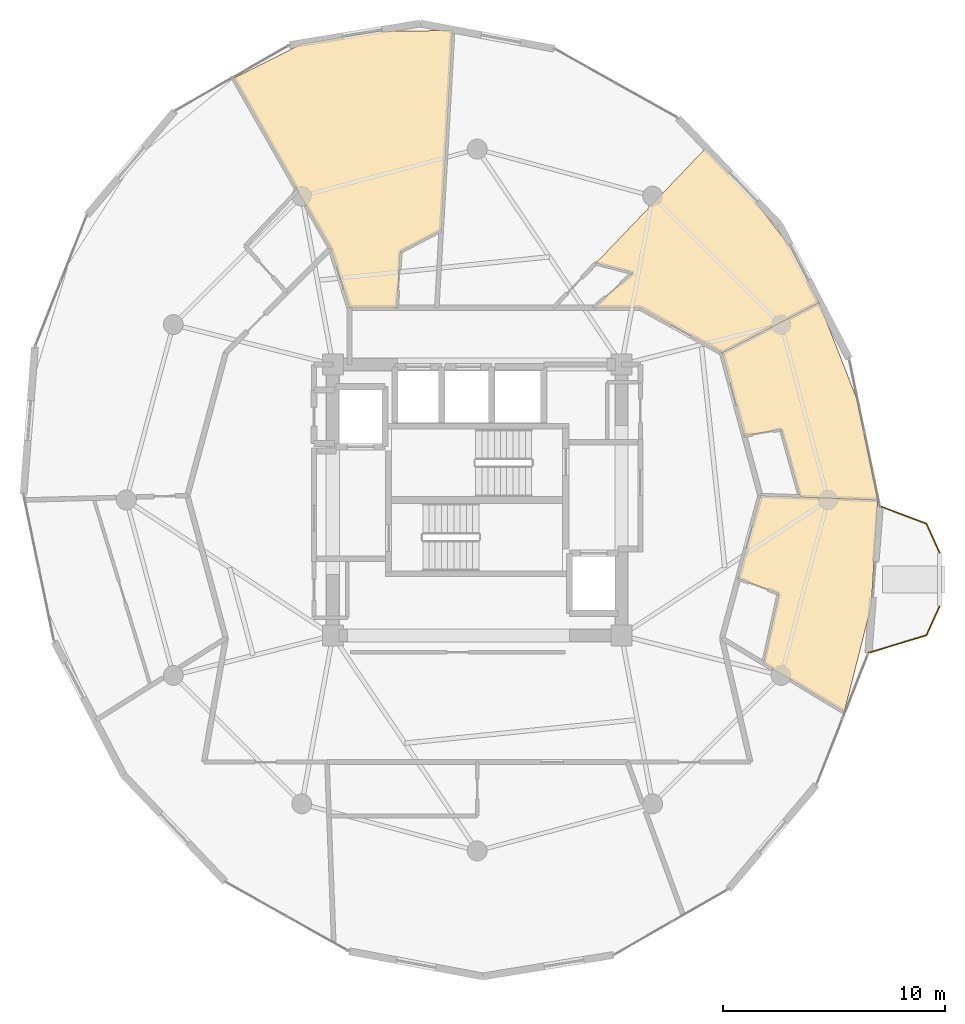
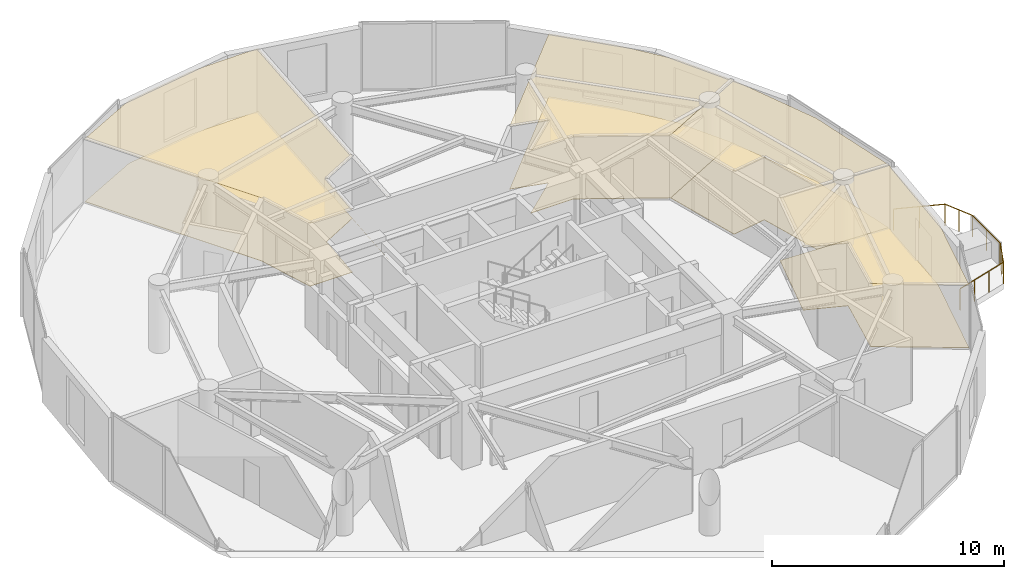
# One storey, part 21 of 21: 8 coverings, 1 railing.
"""IFC4 building model written with IfcOpenShell, lengths in metres."""

import ifcopenshell
import ifcopenshell.guid

model = None  # the IFC model being written
_history = None  # IfcOwnerHistory: only IFC2X3 demands one
_inside = {}  # id of a spatial element -> (the spatial element, [elements in it])
_under = {}  # id of a project, library or spatial element -> (it, [spatial elements below it])
_declared = {}  # id of a project -> (the project, [libraries it declares])
_typed = {}  # id of a type object -> (the type object, [elements of that type])
_made_of = {}  # id of a material, layer set ... -> (it, [elements and type objects made of it])


def new_model(schema):
    """Start an empty IFC model of exactly this schema.

    Asked for "IFC4X3", IfcOpenShell would pick the latest addendum, in which some entities
    have other attributes; the version numbers below select the first issue.
    IFC2X3 requires an IfcOwnerHistory on every rooted entity: one is made here for all.
    """
    global model, _history
    if schema == "IFC4X3":
        model = ifcopenshell.file(schema_version=(4, 3, 0, 0))
    else:
        model = ifcopenshell.file(schema=schema)
    _inside.clear()
    _under.clear()
    _declared.clear()
    _typed.clear()
    _made_of.clear()
    _history = None
    if model.schema == "IFC2X3":
        org = make("IfcOrganization", Name="unknown")
        user = make(
            "IfcPersonAndOrganization",
            ThePerson=make("IfcPerson", FamilyName="unknown"),
            TheOrganization=org,
        )
        app = make(
            "IfcApplication",
            ApplicationDeveloper=org,
            Version="unknown",
            ApplicationFullName="unknown",
            ApplicationIdentifier="unknown",
        )
        _history = make(
            "IfcOwnerHistory",
            OwningUser=user,
            OwningApplication=app,
            ChangeAction="ADDED",
            CreationDate=0,
        )
    return model


def make(cls, **values):
    """One entity of the class cls with the attributes given. An attribute that is None is left unset."""
    return model.create_entity(
        cls, **{name: value for name, value in values.items() if value is not None}
    )


def rooted(cls, **values):
    """An entity with a GlobalId (a new one), such as an element, a storey or a relation."""
    return make(cls, GlobalId=ifcopenshell.guid.new(), OwnerHistory=_history, **values)


def si_unit(unit_type, name, prefix=None):
    """IfcSIUnit, for example si_unit("LENGTHUNIT", "METRE", prefix="MILLI")."""
    return make("IfcSIUnit", UnitType=unit_type, Prefix=prefix, Name=name)


def assignment(units):
    """IfcUnitAssignment: the units of a project."""
    return None if units is None else make("IfcUnitAssignment", Units=units)


def point(xyz):
    """IfcCartesianPoint."""
    return None if xyz is None else make("IfcCartesianPoint", Coordinates=xyz)


def direction(xyz):
    """IfcDirection."""
    return None if xyz is None else make("IfcDirection", DirectionRatios=xyz)


def frame(location, z_axis=None, x_axis=None):
    """IfcAxis2Placement3D, a coordinate frame: its origin and axes. An axis left out is left unset."""
    return make(
        "IfcAxis2Placement3D",
        Location=point(location),
        Axis=direction(z_axis),
        RefDirection=direction(x_axis),
    )


def frame_2d(location, x_axis=None):
    """IfcAxis2Placement2D, a coordinate frame in the plane: its origin and x axis."""
    return make(
        "IfcAxis2Placement2D", Location=point(location), RefDirection=direction(x_axis)
    )


def origin():
    """The frame at (0, 0, 0) with its axes left unset."""
    return frame((0.0, 0.0, 0.0))


def origin_2d():
    """The frame at (0, 0) in the plane with its x axis left unset."""
    return frame_2d((0.0, 0.0))


def place(relative_to, where):
    """IfcLocalPlacement: puts the frame where relative to a parent placement (None: the world)."""
    return make(
        "IfcLocalPlacement", PlacementRelTo=relative_to, RelativePlacement=where
    )


def context(
    kind, dimensions, precision=None, world=None, true_north=None, identifier=None
):
    """IfcGeometricRepresentationContext, for example the 3D "Model" context."""
    return make(
        "IfcGeometricRepresentationContext",
        ContextIdentifier=identifier,
        ContextType=kind,
        CoordinateSpaceDimension=dimensions,
        Precision=precision,
        WorldCoordinateSystem=world,
        TrueNorth=true_north,
    )


def subcontext(parent, identifier, kind, view, scale=None):
    """IfcGeometricRepresentationSubContext, for example "Body" below "Model"."""
    return make(
        "IfcGeometricRepresentationSubContext",
        ContextIdentifier=identifier,
        ContextType=kind,
        ParentContext=parent,
        TargetScale=scale,
        TargetView=view,
    )


def project(units=None, contexts=None):
    """IfcProject with its units and contexts."""
    return rooted(
        "IfcProject",
        Name="project",
        RepresentationContexts=contexts,
        UnitsInContext=assignment(units),
    )


def spatial(cls, under=None, at=None, **own):
    """A site, building, storey or space (cls), placed at a placement, below another one or the project."""
    s = rooted(cls, ObjectPlacement=at, **own)
    if under is not None:
        _under.setdefault(under.id(), (under, []))[1].append(s)
    return s


def polyline(points):
    """IfcPolyline through the points."""
    return make("IfcPolyline", Points=[point(p) for p in points])


def profile(cls, at=None, kind="AREA", **sizes):
    """A parametric profile (cls). Its sizes go by their IFC names, for example OverallWidth=200.0."""
    return make(cls, ProfileType=kind, Position=at, **sizes)


def circle(**sizes):
    """IfcCircleProfileDef."""
    return profile("IfcCircleProfileDef", **sizes)


def outline(outer, holes=None, kind="AREA"):
    """IfcArbitraryClosedProfileDef: a profile drawn as a closed curve; with holes, ...WithVoids."""
    if holes is None:
        return make("IfcArbitraryClosedProfileDef", ProfileType=kind, OuterCurve=outer)
    return make(
        "IfcArbitraryProfileDefWithVoids",
        ProfileType=kind,
        OuterCurve=outer,
        InnerCurves=holes,
    )


def extrude(swept, where, along, depth):
    """IfcExtrudedAreaSolid: the profile swept, set in the frame where, extruded along a direction by depth."""
    return make(
        "IfcExtrudedAreaSolid",
        SweptArea=swept,
        Position=where,
        ExtrudedDirection=direction(along),
        Depth=depth,
    )


def shape(context_of_items, identifier, shape_type, items):
    """IfcShapeRepresentation: the items that make up one representation, for example the "Body"."""
    return make(
        "IfcShapeRepresentation",
        ContextOfItems=context_of_items,
        RepresentationIdentifier=identifier,
        RepresentationType=shape_type,
        Items=items,
    )


def material(Name=None, Category=None):
    """IfcMaterial."""
    return make("IfcMaterial", Name=Name, Category=Category)


def layer(
    of_material, thickness, ventilated=None, Name=None, Category=None, Priority=None
):
    """IfcMaterialLayer: one layer of a wall or slab, of a material (None: an air gap)."""
    return make(
        "IfcMaterialLayer",
        Material=of_material,
        LayerThickness=thickness,
        IsVentilated=ventilated,
        Name=Name,
        Category=Category,
        Priority=Priority,
    )


def layer_set(layers, Name=None):
    """IfcMaterialLayerSet."""
    return make("IfcMaterialLayerSet", MaterialLayers=layers, LayerSetName=Name)


def made_of(thing, what):
    """Note that an element or type object is made of a material, layer set ...; save() writes the relation."""
    if what is not None:
        _made_of.setdefault(what.id(), (what, []))[1].append(thing)
    return thing


def type_object(cls, material=None, **own):
    """A type object (cls), such as IfcWallType, which elements share."""
    return made_of(rooted(cls, **own), material)


def element(
    cls,
    number,
    at=None,
    inside=None,
    cuts=None,
    type_object=None,
    material=None,
    context=None,
    identifier="Body",
    shape_type=None,
    held_by="IfcProductDefinitionShape",
    body=None,
    shapes=None,
    **own,
):
    """One element of the class cls, such as IfcWall. Its Tag is "e" and its number.

    at: its placement. inside: the storey or other place that contains it. cuts: it is an
    opening in that element (IfcRelVoidsElement). A single representation is given by context,
    identifier, shape_type and body (its items); several are given by shapes. held_by: the class
    of the entity that holds the representations. save() writes the other relations.
    """
    e = rooted(cls, Tag="e%d" % number, ObjectPlacement=at, **own)
    if body is not None:
        shapes = [shape(context, identifier, shape_type, body)]
    if shapes is not None:
        e.Representation = make(held_by, Representations=shapes)
    if inside is not None:
        _inside.setdefault(inside.id(), (inside, []))[1].append(e)
    if cuts is not None:
        rooted(
            "IfcRelVoidsElement", RelatingBuildingElement=cuts, RelatedOpeningElement=e
        )
    if type_object is not None:
        _typed.setdefault(type_object.id(), (type_object, []))[1].append(e)
    return made_of(e, material)


def aggregate(whole, parts):
    """IfcRelAggregates: a whole, such as a stair, and the parts it consists of."""
    return rooted("IfcRelAggregates", RelatingObject=whole, RelatedObjects=parts)


def save(model, path):
    """Write the relations noted so far, then the file.

    IfcRelAggregates (storeys below a building ...), IfcRelContainedInSpatialStructure (elements
    in a storey), IfcRelDefinesByType, IfcRelAssociatesMaterial and IfcRelDeclares: one each for
    every whole, place, type object, material and project.
    """
    for whole, parts in _under.values():
        aggregate(whole, parts)
    for where, things in _inside.values():
        rooted(
            "IfcRelContainedInSpatialStructure",
            RelatedElements=things,
            RelatingStructure=where,
        )
    for kind, things in _typed.values():
        rooted("IfcRelDefinesByType", RelatedObjects=things, RelatingType=kind)
    for what, things in _made_of.values():
        rooted("IfcRelAssociatesMaterial", RelatedObjects=things, RelatingMaterial=what)
    for by, libraries in _declared.values():
        rooted("IfcRelDeclares", RelatingContext=by, RelatedDefinitions=libraries)
    model.write(path)


model = new_model("IFC4")

# Units and contexts
model_context = context("Model", 3, precision=1e-05, world=origin(), true_north=direction((0.0, 1.0)))
body_context = subcontext(model_context, "Body", "Model", "MODEL_VIEW")
ifc_project = project(units=[si_unit("LENGTHUNIT", "METRE"), si_unit("AREAUNIT", "SQUARE_METRE"), si_unit("VOLUMEUNIT", "CUBIC_METRE"), si_unit("PLANEANGLEUNIT", "RADIAN"), si_unit("MASSUNIT", "GRAM", prefix="KILO")], contexts=[model_context])

# Site, building, storey
site_placement = place(None, origin())
site = spatial("IfcSite", under=ifc_project, at=site_placement, CompositionType="ELEMENT")
building_placement = place(site_placement, origin())
building = spatial("IfcBuilding", under=site, at=building_placement, Name="Solvirekh Grand Hotel", CompositionType="ELEMENT")
storey_placement = place(building_placement, frame((0.0, 0.0, 220.0)))
storey = spatial("IfcBuildingStorey", under=building, at=storey_placement, Name="L57", CompositionType="ELEMENT", Elevation=220.0)

# Coverings
ifc_material_1 = material(Name="Acoustic Mineral Ceiling Tile")
ifc_layer_1 = layer(ifc_material_1, 0.02490234375)
ifc_layer_set_1 = layer_set([ifc_layer_1], Name="Acoustic Mineral Ceiling Tile")
covering_type_1 = type_object("IfcCoveringType", Name="Cov_Ceiling_Acoustic", PredefinedType="CEILING", material=ifc_layer_set_1)
covering_1_placement = place(storey_placement, frame((0.0, 0.0, 3.31005859375)))
element("IfcCovering", 1, at=covering_1_placement, inside=storey, type_object=covering_type_1, Name="L57 Deluxe Guestroom 5901 acoustic ceiling", PredefinedType="CEILING", context=body_context, shape_type="SweptSolid", body=[
    extrude(outline(polyline([(5.342041015625, 10.6630859375), (7.01708984375, 10.22802734375), (5.22802734375, 8.64990234375), (7.35009765625, 8.64990234375), (11.02197265625, 6.625), (15.39599609375, 8.888916015625), (14.0869140625, 11.406982421875), (12.326904296875, 13.69091796875), (10.284912109375, 15.837890625), (5.342041015625, 10.6630859375)])), origin(), (0.0, 0.0, 1.0), 0.017822265625),
])
covering_2_placement = place(storey_placement, frame((0.0, 0.0, 3.31005859375)))
element("IfcCovering", 2, at=covering_2_placement, inside=storey, type_object=covering_type_1, Name="L57 Deluxe Guestroom 5902 acoustic ceiling", PredefinedType="CEILING", context=body_context, shape_type="SweptSolid", body=[
    extrude(outline(polyline([(-3.6279296875, 8.64990234375), (-3.4609375, 11.18603515625), (-1.62109375, 12.14794921875), (-1.820068359375, 8.64990234375), (-1.10791015625, 21.14404296875), (-4.485107421875, 21.09912109375), (-7.885009765625, 20.5419921875), (-10.967041015625, 18.9951171875), (-6.60009765625, 11.327880859375), (-5.75, 8.64990234375), (-3.6279296875, 8.64990234375)])), origin(), (0.0, 0.0, 1.0), 0.017822265625),
])
covering_3_placement = place(storey_placement, frame((0.0, 0.0, 3.31005859375)))
element("IfcCovering", 3, at=covering_3_placement, inside=storey, type_object=covering_type_1, Name="L57 Deluxe Guestroom 5904 acoustic ceiling", PredefinedType="CEILING", context=body_context, shape_type="SweptSolid", body=[
    extrude(outline(polyline([(13.587890625, -4.208984375), (12.89404296875, -7.35302734375), (16.528076171875, -9.54296875), (17.743896484375, -4.75390625), (18.031982421875, 0.0), (12.75, 0.199951171875), (11.748046875, -3.52587890625), (13.587890625, -4.208984375)])), origin(), (0.0, 0.0, 1.0), 0.017822265625),
])
covering_4_placement = place(storey_placement, frame((0.0, 0.0, 3.31005859375)))
element("IfcCovering", 4, at=covering_4_placement, inside=storey, type_object=covering_type_1, Name="L57 Deluxe Guestroom 5905 acoustic ceiling", PredefinedType="CEILING", context=body_context, shape_type="SweptSolid", body=[
    extrude(outline(polyline([(13.68994140625, 3.181884765625), (14.5458984375, 0.132080078125), (18.031982421875, 0.0), (17.0810546875, 4.576904296875), (15.39599609375, 8.888916015625), (11.02197265625, 6.625), (12.02392578125, 2.89794921875), (13.68994140625, 3.181884765625)])), origin(), (0.0, 0.0, 1.0), 0.017822265625),
])
ifc_material_2 = material(Name="Porcelain Stoneware Flooring", Category="masonry")
ifc_layer_2 = layer(ifc_material_2, 0.030029296875)
ifc_layer_set_2 = layer_set([ifc_layer_2], Name="Porcelain Stoneware Flooring")
covering_type_2 = type_object("IfcCoveringType", Name="Cov_Floor_Stone", PredefinedType="FLOORING", material=ifc_layer_set_2)
covering_5_placement = place(storey_placement, origin())
element("IfcCovering", 5, at=covering_5_placement, inside=storey, type_object=covering_type_2, Name="L57 Deluxe Guestroom 5901 polished granite flooring", PredefinedType="FLOORING", context=body_context, shape_type="SweptSolid", body=[
    extrude(outline(polyline([(5.342041015625, 10.6630859375), (7.01708984375, 10.22802734375), (5.22802734375, 8.64990234375), (7.35009765625, 8.64990234375), (11.02197265625, 6.625), (15.39599609375, 8.888916015625), (14.0869140625, 11.406982421875), (12.326904296875, 13.69091796875), (10.284912109375, 15.837890625), (5.342041015625, 10.6630859375)])), origin(), (0.0, 0.0, 1.0), 0.02001953125),
])
covering_6_placement = place(storey_placement, origin())
element("IfcCovering", 6, at=covering_6_placement, inside=storey, type_object=covering_type_2, Name="L57 Deluxe Guestroom 5902 polished granite flooring", PredefinedType="FLOORING", context=body_context, shape_type="SweptSolid", body=[
    extrude(outline(polyline([(-3.6279296875, 8.64990234375), (-3.4609375, 11.18603515625), (-1.62109375, 12.14794921875), (-1.820068359375, 8.64990234375), (-1.10791015625, 21.14404296875), (-4.485107421875, 21.09912109375), (-7.885009765625, 20.5419921875), (-10.967041015625, 18.9951171875), (-6.60009765625, 11.327880859375), (-5.75, 8.64990234375), (-3.6279296875, 8.64990234375)])), origin(), (0.0, 0.0, 1.0), 0.02001953125),
])
covering_7_placement = place(storey_placement, origin())
element("IfcCovering", 7, at=covering_7_placement, inside=storey, type_object=covering_type_2, Name="L57 Deluxe Guestroom 5904 polished granite flooring", PredefinedType="FLOORING", context=body_context, shape_type="SweptSolid", body=[
    extrude(outline(polyline([(13.587890625, -4.208984375), (12.89404296875, -7.35302734375), (16.528076171875, -9.54296875), (17.743896484375, -4.75390625), (18.031982421875, 0.0), (12.75, 0.199951171875), (11.748046875, -3.52587890625), (13.587890625, -4.208984375)])), origin(), (0.0, 0.0, 1.0), 0.02001953125),
])
covering_8_placement = place(storey_placement, origin())
element("IfcCovering", 8, at=covering_8_placement, inside=storey, type_object=covering_type_2, Name="L57 Deluxe Guestroom 5905 polished granite flooring", PredefinedType="FLOORING", context=body_context, shape_type="SweptSolid", body=[
    extrude(outline(polyline([(13.68994140625, 3.181884765625), (14.5458984375, 0.132080078125), (18.031982421875, 0.0), (17.0810546875, 4.576904296875), (15.39599609375, 8.888916015625), (11.02197265625, 6.625), (12.02392578125, 2.89794921875), (13.68994140625, 3.181884765625)])), origin(), (0.0, 0.0, 1.0), 0.02001953125),
])

# Railing
ifc_material_3 = material(Name="Anodized Bronze Aluminium 6063-T6", Category="aluminium")
railing_type = type_object("IfcRailingType", Name="Guard_ExtGlass_1150", PredefinedType="BALUSTRADE", material=ifc_material_3)
railing_placement = place(storey_placement, frame((17.618896484375, -6.886962890625, 0.0)))
element("IfcRailing", 9, at=railing_placement, inside=storey, type_object=railing_type, Name="L57 horn perimeter glass balustrade", PredefinedType="BALUSTRADE", context=body_context, shape_type="SweptSolid", body=[
    extrude(circle(Radius=0.02392578125, at=origin_2d()), frame((0.0, 0.0, 1.1259765625), z_axis=(0.956687973107, 0.291115307246, 0.0), x_axis=(-0.291115307246, 0.956687973107, 0.0)), (0.0, 0.0, 1.0), 2.727294921875),
    extrude(circle(Radius=0.02392578125, at=origin_2d()), frame((2.609130859375, 0.7939453125, 1.1259765625), z_axis=(0.41294170136, 0.910757460183, 0.0), x_axis=(-0.910757460183, 0.41294170136, 0.0)), (0.0, 0.0, 1.0), 1.45263671875),
    extrude(circle(Radius=0.02392578125, at=origin_2d()), frame((3.208984375, 2.116943359375, 1.1259765625), z_axis=(0.0, 1.0, 0.0), x_axis=(-1.0, 0.0, 0.0)), (0.0, 0.0, 1.0), 2.383056640625),
    extrude(circle(Radius=0.02392578125, at=origin_2d()), frame((3.208984375, 4.5, 1.1259765625), z_axis=(-0.41294170136, 0.910757460183, 0.0), x_axis=(-0.910757460183, -0.41294170136, 0.0)), (0.0, 0.0, 1.0), 1.45263671875),
    extrude(circle(Radius=0.02392578125, at=origin_2d()), frame((2.609130859375, 5.822998046875, 1.1259765625), z_axis=(-0.935387386294, 0.353624712884, 0.0), x_axis=(-0.353624712884, -0.935387386294, 0.0)), (0.0, 0.0, 1.0), 2.2451171875),
    extrude(circle(Radius=0.02099609375, at=origin_2d()), origin(), (0.0, 0.0, 1.0), 1.101806640625),
    extrude(circle(Radius=0.02099609375, at=origin_2d()), frame((0.86962890625, 0.2646484375, 0.0)), (0.0, 0.0, 1.0), 1.101806640625),
    extrude(circle(Radius=0.02099609375, at=origin_2d()), frame((1.739501953125, 0.529296875, 0.0)), (0.0, 0.0, 1.0), 1.101806640625),
    extrude(circle(Radius=0.02099609375, at=origin_2d()), frame((2.609130859375, 0.7939453125, 0.0)), (0.0, 0.0, 1.0), 1.101806640625),
    extrude(circle(Radius=0.02099609375, at=origin_2d()), frame((2.9091796875, 1.45556640625, 0.0)), (0.0, 0.0, 1.0), 1.101806640625),
    extrude(circle(Radius=0.02099609375, at=origin_2d()), frame((3.208984375, 2.116943359375, 0.0)), (0.0, 0.0, 1.0), 1.101806640625),
    extrude(circle(Radius=0.02099609375, at=origin_2d()), frame((3.208984375, 3.30859375, 0.0)), (0.0, 0.0, 1.0), 1.101806640625),
    extrude(circle(Radius=0.02099609375, at=origin_2d()), frame((3.208984375, 4.5, 0.0)), (0.0, 0.0, 1.0), 1.101806640625),
    extrude(circle(Radius=0.02099609375, at=origin_2d()), frame((2.9091796875, 5.16162109375, 0.0)), (0.0, 0.0, 1.0), 1.101806640625),
    extrude(circle(Radius=0.02099609375, at=origin_2d()), frame((2.609130859375, 5.822998046875, 0.0)), (0.0, 0.0, 1.0), 1.101806640625),
    extrude(circle(Radius=0.02099609375, at=origin_2d()), frame((1.55908203125, 6.219970703125, 0.0)), (0.0, 0.0, 1.0), 1.101806640625),
    extrude(circle(Radius=0.02099609375, at=origin_2d()), frame((0.509033203125, 6.616943359375, 0.0)), (0.0, 0.0, 1.0), 1.101806640625),
])

save(model, "model.ifc")
